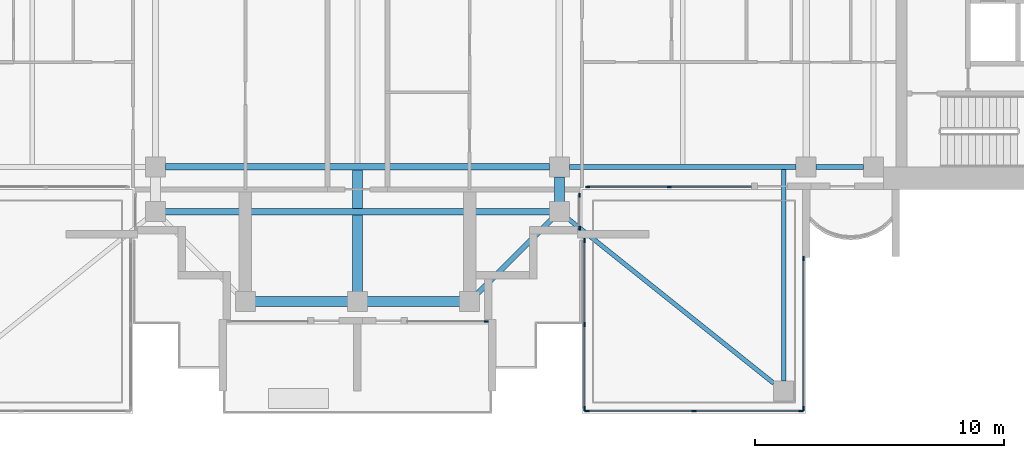
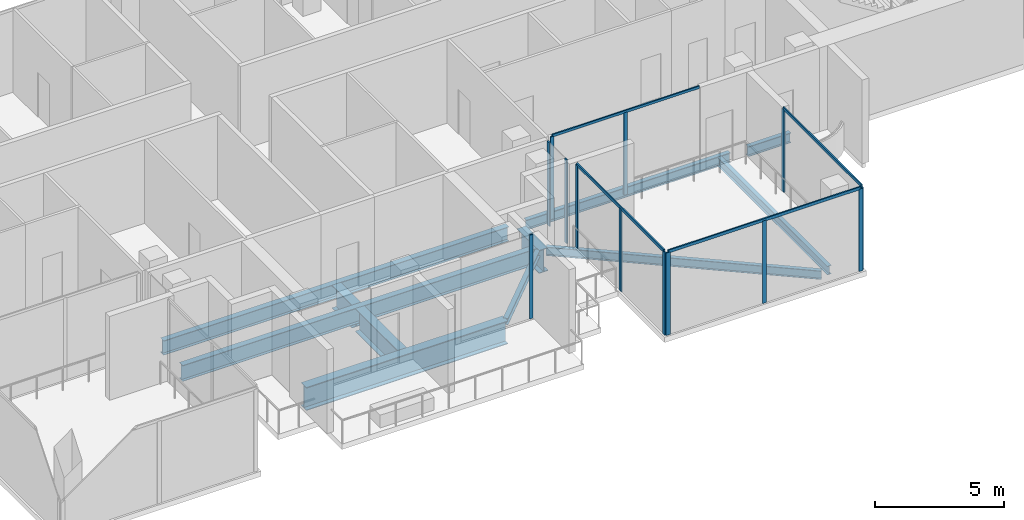
# One storey, part 3 of 16: 17 members, 11 beams, 6 elements without a shape of their own.
"""IFC4 building model written with IfcOpenShell, lengths in metres."""

from ifc_helpers import new_model, si_unit, direction, frame, origin, origin_2d, place, context, subcontext, project, spatial, rectangle, i_section, extrude, material, material_profile, profile_set, type_object, element, aggregate, save


model = new_model("IFC4")

# Units and contexts
model_context = context("Model", 3, precision=1e-05, world=origin(), true_north=direction((0.0, 1.0)))
body_context = subcontext(model_context, "Body", "Model", "MODEL_VIEW")
ifc_project = project(units=[si_unit("LENGTHUNIT", "METRE"), si_unit("AREAUNIT", "SQUARE_METRE"), si_unit("VOLUMEUNIT", "CUBIC_METRE"), si_unit("PLANEANGLEUNIT", "RADIAN"), si_unit("MASSUNIT", "GRAM", prefix="KILO")], contexts=[model_context])

# Site, building, storey
site_placement = place(None, origin())
site = spatial("IfcSite", under=ifc_project, at=site_placement, CompositionType="ELEMENT")
building_placement = place(site_placement, origin())
building = spatial("IfcBuilding", under=site, at=building_placement, Name="Perihelion Cross Residences", CompositionType="ELEMENT")
storey_placement = place(building_placement, frame((0.0, 0.0, 290.39990234375)))
storey = spatial("IfcBuildingStorey", under=building, at=storey_placement, Name="L74", CompositionType="ELEMENT", Elevation=290.39990234375)

# Curtain wall, member
ifc_material_1 = material(Name="Bronze anodised aluminium, tinted glazing", Category="aluminium")
curtain_wall_type_1 = type_object("IfcCurtainWallType", Name="CW1", PredefinedType="NOTDEFINED", material=ifc_material_1)
curtain_wall_1_placement = place(storey_placement, origin())
curtain_wall_1 = element("IfcCurtainWall", 1, at=curtain_wall_1_placement, inside=storey, type_object=curtain_wall_type_1, Name="Curtain wall CW1 L74 south tip south bay 2", PredefinedType="NOTDEFINED")
ifc_material_2 = material(Name="Bronze anodised aluminium", Category="aluminium")
ifc_material_profile_1 = material_profile(ifc_material_2, rectangle(XDim=0.06005859375, YDim=0.159912109375, at=origin_2d()), Name="CW1 mullion")
ifc_profile_set_1 = profile_set([ifc_material_profile_1], Name="Bronze anodised aluminium")
member_type_1 = type_object("IfcMemberType", Name="CW1 mullion", PredefinedType="MULLION", material=ifc_profile_set_1)
member_1_placement = place(storey_placement, frame((5.169921875, -14.300048828125, 0.0), z_axis=(0.0, 0.0, 1.0), x_axis=(0.0, 1.0, 0.0)))
member_1 = element("IfcMember", 2, at=member_1_placement, type_object=member_type_1, Name="CW1 mullion 2", PredefinedType="MULLION", context=body_context, shape_type="SweptSolid", body=[
    extrude(rectangle(XDim=0.06005859375, YDim=0.159912109375, at=origin_2d()), origin(), (0.0, 0.0, 1.0), 3.9501953125),
])
aggregate(curtain_wall_1, [member_1])

# Curtain wall, members
curtain_wall_2_placement = place(storey_placement, origin())
curtain_wall_2 = element("IfcCurtainWall", 3, at=curtain_wall_2_placement, inside=storey, type_object=curtain_wall_type_1, Name="Curtain wall CW1 L74 south side east bay 1", PredefinedType="NOTDEFINED")
member_2_placement = place(storey_placement, frame((8.89990234375, -10.570068359375, 0.0), z_axis=(0.0, 0.0, 1.0), x_axis=(-1.0, 0.0, 0.0)))
member_2 = element("IfcMember", 4, at=member_2_placement, type_object=member_type_1, Name="CW1 mullion 1", PredefinedType="MULLION", context=body_context, shape_type="SweptSolid", body=[
    extrude(rectangle(XDim=0.06005859375, YDim=0.159912109375, at=origin_2d()), origin(), (0.0, 0.0, 1.0), 3.9501953125),
])
member_3_placement = place(storey_placement, frame((8.89990234375, -9.22998046875, 0.0), z_axis=(0.0, 0.0, 1.0), x_axis=(-1.0, 0.0, 0.0)))
member_3 = element("IfcMember", 5, at=member_3_placement, type_object=member_type_1, Name="CW1 mullion 2", PredefinedType="MULLION", context=body_context, shape_type="SweptSolid", body=[
    extrude(rectangle(XDim=0.06005859375, YDim=0.159912109375, at=origin_2d()), origin(), (0.0, 0.0, 1.0), 3.9501953125),
])
aggregate(curtain_wall_2, [member_2, member_3])

curtain_wall_3_placement = place(storey_placement, origin())
curtain_wall_3 = element("IfcCurtainWall", 6, at=curtain_wall_3_placement, inside=storey, type_object=curtain_wall_type_1, Name="Curtain wall CW1 L74 east side south bay 1", PredefinedType="NOTDEFINED")
member_4_placement = place(storey_placement, frame((9.22998046875, -8.89990234375, 0.0), z_axis=(0.0, 0.0, 1.0), x_axis=(0.0, 1.0, 0.0)))
member_4 = element("IfcMember", 7, at=member_4_placement, type_object=member_type_1, Name="CW1 mullion 1", PredefinedType="MULLION", context=body_context, shape_type="SweptSolid", body=[
    extrude(rectangle(XDim=0.06005859375, YDim=0.159912109375, at=origin_2d()), origin(), (0.0, 0.0, 1.0), 3.89013671875),
])
member_5_placement = place(storey_placement, frame((12.5, -8.89990234375, 0.0), z_axis=(0.0, 0.0, 1.0), x_axis=(0.0, 1.0, 0.0)))
member_5 = element("IfcMember", 8, at=member_5_placement, type_object=member_type_1, Name="CW1 mullion 2", PredefinedType="MULLION", context=body_context, shape_type="SweptSolid", body=[
    extrude(rectangle(XDim=0.06005859375, YDim=0.159912109375, at=origin_2d()), origin(), (0.0, 0.0, 1.0), 3.89013671875),
])
ifc_material_3 = material(Name="Bronze anodised aluminium", Category="aluminium")
ifc_material_profile_2 = material_profile(ifc_material_3, rectangle(XDim=0.06005859375, YDim=0.1201171875, at=origin_2d()), Name="CW1 transom")
ifc_profile_set_2 = profile_set([ifc_material_profile_2], Name="Bronze anodised aluminium")
member_type_2 = type_object("IfcMemberType", Name="CW1 transom", PredefinedType="USERDEFINED", material=ifc_profile_set_2)
member_6_placement = place(storey_placement, frame((9.22998046875, -8.89990234375, 3.920166015625), z_axis=(1.0, 0.0, 0.0), x_axis=(0.0, 1.0, 0.0)))
member_6 = element("IfcMember", 9, at=member_6_placement, type_object=member_type_2, Name="CW1 head transom", ObjectType="TRANSOM", PredefinedType="USERDEFINED", context=body_context, shape_type="SweptSolid", body=[
    extrude(rectangle(XDim=0.06005859375, YDim=0.1201171875, at=origin_2d()), origin(), (0.0, 0.0, 1.0), 6.570068359375),
])
aggregate(curtain_wall_3, [member_4, member_5, member_6])

ifc_material_4 = material(Name="Bronze anodised aluminium, tinted glazing", Category="aluminium")
curtain_wall_type_2 = type_object("IfcCurtainWallType", Name="CW4", PredefinedType="NOTDEFINED", material=ifc_material_4)
curtain_wall_4_placement = place(storey_placement, origin())
curtain_wall_4 = element("IfcCurtainWall", 10, at=curtain_wall_4_placement, inside=storey, type_object=curtain_wall_type_2, Name="Curtain wall CW4 L74 pocket south-east 1 1", PredefinedType="NOTDEFINED")
ifc_material_5 = material(Name="Bronze anodised aluminium", Category="aluminium")
ifc_material_profile_3 = material_profile(ifc_material_5, rectangle(XDim=0.06005859375, YDim=0.179931640625, at=origin_2d()), Name="CW4 mullion")
ifc_profile_set_3 = profile_set([ifc_material_profile_3], Name="Bronze anodised aluminium")
member_type_3 = type_object("IfcMemberType", Name="CW4 mullion", PredefinedType="MULLION", material=ifc_profile_set_3)
member_7_placement = place(storey_placement, frame((17.89990234375, -11.77001953125, 0.0), z_axis=(0.0, 0.0, 1.0), x_axis=(1.0, 0.0, 0.0)))
member_7 = element("IfcMember", 11, at=member_7_placement, type_object=member_type_3, Name="CW4 mullion 1", PredefinedType="MULLION", context=body_context, shape_type="SweptSolid", body=[
    extrude(rectangle(XDim=0.06005859375, YDim=0.179931640625, at=origin_2d()), origin(), (0.0, 0.0, 1.0), 3.89013671875),
])
member_8_placement = place(storey_placement, frame((17.89990234375, -17.800048828125, 0.0), z_axis=(0.0, 0.0, 1.0), x_axis=(1.0, 0.0, 0.0)))
member_8 = element("IfcMember", 12, at=member_8_placement, type_object=member_type_3, Name="CW4 mullion 2", PredefinedType="MULLION", context=body_context, shape_type="SweptSolid", body=[
    extrude(rectangle(XDim=0.06005859375, YDim=0.179931640625, at=origin_2d()), origin(), (0.0, 0.0, 1.0), 3.89013671875),
])

curtain_wall_5_placement = place(storey_placement, origin())
curtain_wall_5 = element("IfcCurtainWall", 13, at=curtain_wall_5_placement, inside=storey, type_object=curtain_wall_type_2, Name="Curtain wall CW4 L74 pocket south-east 1 2", PredefinedType="NOTDEFINED")
member_9_placement = place(storey_placement, frame((17.800048828125, -17.89990234375, 0.0), z_axis=(0.0, 0.0, 1.0), x_axis=(0.0, -1.0, 0.0)))
member_9 = element("IfcMember", 14, at=member_9_placement, type_object=member_type_3, Name="CW4 mullion 1", PredefinedType="MULLION", context=body_context, shape_type="SweptSolid", body=[
    extrude(rectangle(XDim=0.06005859375, YDim=0.179931640625, at=origin_2d()), origin(), (0.0, 0.0, 1.0), 3.89013671875),
])
member_10_placement = place(storey_placement, frame((13.5, -17.89990234375, 0.0), z_axis=(0.0, 0.0, 1.0), x_axis=(0.0, -1.0, 0.0)))
member_10 = element("IfcMember", 15, at=member_10_placement, type_object=member_type_3, Name="CW4 mullion 2", PredefinedType="MULLION", context=body_context, shape_type="SweptSolid", body=[
    extrude(rectangle(XDim=0.06005859375, YDim=0.179931640625, at=origin_2d()), origin(), (0.0, 0.0, 1.0), 3.89013671875),
])
member_11_placement = place(storey_placement, frame((9.199951171875, -17.89990234375, 0.0), z_axis=(0.0, 0.0, 1.0), x_axis=(0.0, -1.0, 0.0)))
member_11 = element("IfcMember", 16, at=member_11_placement, type_object=member_type_3, Name="CW4 mullion 3", PredefinedType="MULLION", context=body_context, shape_type="SweptSolid", body=[
    extrude(rectangle(XDim=0.06005859375, YDim=0.179931640625, at=origin_2d()), origin(), (0.0, 0.0, 1.0), 3.89013671875),
])

curtain_wall_6_placement = place(storey_placement, origin())
curtain_wall_6 = element("IfcCurtainWall", 17, at=curtain_wall_6_placement, inside=storey, type_object=curtain_wall_type_2, Name="Curtain wall CW4 L74 pocket south-east 1 3", PredefinedType="NOTDEFINED")
member_12_placement = place(storey_placement, frame((9.10009765625, -17.800048828125, 0.0), z_axis=(0.0, 0.0, 1.0), x_axis=(-1.0, 0.0, 0.0)))
member_12 = element("IfcMember", 18, at=member_12_placement, type_object=member_type_3, Name="CW4 mullion 1", PredefinedType="MULLION", context=body_context, shape_type="SweptSolid", body=[
    extrude(rectangle(XDim=0.06005859375, YDim=0.179931640625, at=origin_2d()), origin(), (0.0, 0.0, 1.0), 3.89013671875),
])
member_13_placement = place(storey_placement, frame((9.10009765625, -14.429443359375, 0.0), z_axis=(0.0, 0.0, 1.0), x_axis=(-1.0, 0.0, 0.0)))
member_13 = element("IfcMember", 19, at=member_13_placement, type_object=member_type_3, Name="CW4 mullion 2", PredefinedType="MULLION", context=body_context, shape_type="SweptSolid", body=[
    extrude(rectangle(XDim=0.06005859375, YDim=0.179931640625, at=origin_2d()), origin(), (0.0, 0.0, 1.0), 3.89013671875),
])
member_14_placement = place(storey_placement, frame((9.10009765625, -11.058837890625, 0.0), z_axis=(0.0, 0.0, 1.0), x_axis=(-1.0, 0.0, 0.0)))
member_14 = element("IfcMember", 20, at=member_14_placement, type_object=member_type_3, Name="CW4 mullion 3", PredefinedType="MULLION", context=body_context, shape_type="SweptSolid", body=[
    extrude(rectangle(XDim=0.06005859375, YDim=0.179931640625, at=origin_2d()), origin(), (0.0, 0.0, 1.0), 3.89013671875),
])

# Member
ifc_material_6 = material(Name="Bronze anodised aluminium", Category="aluminium")
ifc_material_profile_4 = material_profile(ifc_material_6, rectangle(XDim=0.06005859375, YDim=0.139892578125, at=origin_2d()), Name="CW4 transom")
ifc_profile_set_4 = profile_set([ifc_material_profile_4], Name="Bronze anodised aluminium")
member_type_4 = type_object("IfcMemberType", Name="CW4 transom", PredefinedType="USERDEFINED", material=ifc_profile_set_4)
member_15_placement = place(storey_placement, frame((17.89990234375, -11.77001953125, 3.920166015625), z_axis=(0.0, -1.0, 0.0), x_axis=(1.0, 0.0, 0.0)))
member_15 = element("IfcMember", 21, at=member_15_placement, type_object=member_type_4, Name="CW4 head transom", ObjectType="TRANSOM", PredefinedType="USERDEFINED", context=body_context, shape_type="SweptSolid", body=[
    extrude(rectangle(XDim=0.06005859375, YDim=0.139892578125, at=origin_2d()), origin(), (0.0, 0.0, 1.0), 6.030029296875),
])

aggregate(curtain_wall_4, [member_7, member_8, member_15])

member_16_placement = place(storey_placement, frame((17.800048828125, -17.89990234375, 3.920166015625), z_axis=(-1.0, 0.0, 0.0), x_axis=(0.0, -1.0, 0.0)))
member_16 = element("IfcMember", 22, at=member_16_placement, type_object=member_type_4, Name="CW4 head transom", ObjectType="TRANSOM", PredefinedType="USERDEFINED", context=body_context, shape_type="SweptSolid", body=[
    extrude(rectangle(XDim=0.06005859375, YDim=0.139892578125, at=origin_2d()), origin(), (0.0, 0.0, 1.0), 8.60009765625),
])

aggregate(curtain_wall_5, [member_9, member_10, member_11, member_16])

member_17_placement = place(storey_placement, frame((9.10009765625, -17.800048828125, 3.920166015625), z_axis=(0.0, 1.0, 0.0), x_axis=(-1.0, 0.0, 0.0)))
member_17 = element("IfcMember", 23, at=member_17_placement, type_object=member_type_4, Name="CW4 head transom", ObjectType="TRANSOM", PredefinedType="USERDEFINED", context=body_context, shape_type="SweptSolid", body=[
    extrude(rectangle(XDim=0.06005859375, YDim=0.139892578125, at=origin_2d()), origin(), (0.0, 0.0, 1.0), 6.7412109375),
])

aggregate(curtain_wall_6, [member_12, member_13, member_14, member_17])

# Beams
ifc_material_7 = material(Name="Steel S355", Category="steel")
ifc_material_profile_5 = material_profile(ifc_material_7, i_section(OverallWidth=0.177978515625, OverallDepth=0.406005859375, WebThickness=0.0078125, FlangeThickness=0.0126953125, at=origin_2d()), Name="W410x60")
ifc_profile_set_5 = profile_set([ifc_material_profile_5], Name="Steel S355")
beam_type_1 = type_object("IfcBeamType", Name="Core edge beam W410x60", PredefinedType="BEAM", material=ifc_profile_set_5)
beam_1_placement = place(storey_placement, frame((17.10009765625, -8.197021484375, -0.452880859375), z_axis=(0.0, -1.0, 0.0), x_axis=(1.0, 0.0, 0.0)))
element("IfcBeam", 24, at=beam_1_placement, inside=storey, type_object=beam_type_1, Name="Core edge beam TB2 L74 corner no. 3", PredefinedType="BEAM", context=body_context, shape_type="SweptSolid", body=[
    extrude(i_section(OverallWidth=0.177978515625, OverallDepth=0.406005859375, WebThickness=0.0078125, FlangeThickness=0.0126953125, at=origin_2d()), origin(), (0.0, 0.0, 1.0), 8.5029296875),
])
beam_2_placement = place(storey_placement, frame((8.300537109375, -10.060302734375, -0.452880859375), z_axis=(0.780859952085, -0.624706119091, 0.0), x_axis=(0.624706119091, 0.780859952085, 0.0)))
element("IfcBeam", 25, at=beam_2_placement, inside=storey, type_object=beam_type_1, Name="Core edge beam TB2 L74 corner no. 4", PredefinedType="BEAM", context=body_context, shape_type="SweptSolid", body=[
    extrude(i_section(OverallWidth=0.177978515625, OverallDepth=0.406005859375, WebThickness=0.0078125, FlangeThickness=0.0126953125, at=origin_2d()), origin(), (0.0, 0.0, 1.0), 10.756591796875),
])
ifc_material_8 = material(Name="Steel S355", Category="steel")
ifc_material_profile_6 = material_profile(ifc_material_8, i_section(OverallWidth=0.194091796875, OverallDepth=0.469970703125, WebThickness=0.0126953125, FlangeThickness=0.0205078125, at=origin_2d()), Name="W460x106")
ifc_profile_set_6 = profile_set([ifc_material_profile_6], Name="Steel S355")
beam_type_2 = type_object("IfcBeamType", Name="Edge beam W460x106", PredefinedType="SPANDREL", material=ifc_profile_set_6)
beam_3_placement = place(storey_placement, frame((8.5, -8.10009765625, -0.48486328125), z_axis=(1.0, 0.0, 0.0), x_axis=(0.0, 1.0, 0.0)))
element("IfcBeam", 26, at=beam_3_placement, inside=storey, type_object=beam_type_2, Name="Edge beam SB5 L74 no. 8", PredefinedType="SPANDREL", context=body_context, shape_type="SweptSolid", body=[
    extrude(i_section(OverallWidth=0.194091796875, OverallDepth=0.469970703125, WebThickness=0.0126953125, FlangeThickness=0.0205078125, at=origin_2d()), origin(), (0.0, 0.0, 1.0), 9.10009765625),
])
beam_4_placement = place(storey_placement, frame((18.39990234375, -8.10009765625, -0.48486328125), z_axis=(1.0, 0.0, 0.0), x_axis=(0.0, 1.0, 0.0)))
element("IfcBeam", 27, at=beam_4_placement, inside=storey, type_object=beam_type_2, Name="Edge beam SB5 L74 no. 5", PredefinedType="SPANDREL", context=body_context, shape_type="SweptSolid", body=[
    extrude(i_section(OverallWidth=0.194091796875, OverallDepth=0.469970703125, WebThickness=0.0126953125, FlangeThickness=0.0205078125, at=origin_2d()), origin(), (0.0, 0.0, 1.0), 1.900146484375),
])
ifc_material_9 = material(Name="Steel S355", Category="steel")
ifc_material_profile_7 = material_profile(ifc_material_9, i_section(OverallWidth=0.26708984375, OverallDepth=0.75390625, WebThickness=0.01318359375, FlangeThickness=0.01708984375, at=origin_2d()), Name="W760x147")
ifc_profile_set_7 = profile_set([ifc_material_profile_7], Name="Steel S355")
beam_type_3 = type_object("IfcBeamType", Name="Floor girder W760x147", PredefinedType="BEAM", material=ifc_profile_set_7)
beam_5_placement = place(storey_placement, frame((-7.8994140625, -9.89990234375, -0.626953125), z_axis=(1.0, 0.0, 0.0), x_axis=(0.0, 1.0, 0.0)))
element("IfcBeam", 28, at=beam_5_placement, inside=storey, type_object=beam_type_3, Name="Girder G5 L74 no. 3", PredefinedType="BEAM", context=body_context, shape_type="SweptSolid", body=[
    extrude(i_section(OverallWidth=0.26708984375, OverallDepth=0.75390625, WebThickness=0.01318359375, FlangeThickness=0.01708984375, at=origin_2d()), origin(), (0.0, 0.0, 1.0), 15.798828125),
])
ifc_material_10 = material(Name="Steel S355", Category="steel")
ifc_material_profile_8 = material_profile(ifc_material_10, i_section(OverallWidth=0.25390625, OverallDepth=0.677978515625, WebThickness=0.01171875, FlangeThickness=0.016357421875, at=origin_2d()), Name="W690x125")
ifc_profile_set_8 = profile_set([ifc_material_profile_8], Name="Steel S355")
beam_type_4 = type_object("IfcBeamType", Name="Hub ring girder W690x125", PredefinedType="BEAM", material=ifc_profile_set_8)
beam_6_placement = place(storey_placement, frame((-7.699951171875, -8.10009765625, -0.5888671875), z_axis=(1.0, 0.0, 0.0), x_axis=(0.0, 1.0, 0.0)))
element("IfcBeam", 29, at=beam_6_placement, inside=storey, type_object=beam_type_4, Name="Hub ring girder RG5 L74 no. 1", PredefinedType="BEAM", context=body_context, shape_type="SweptSolid", body=[
    extrude(i_section(OverallWidth=0.25390625, OverallDepth=0.677978515625, WebThickness=0.01171875, FlangeThickness=0.016357421875, at=origin_2d()), origin(), (0.0, 0.0, 1.0), 15.39990234375),
])
ifc_material_11 = material(Name="Steel S355", Category="steel")
ifc_material_profile_9 = material_profile(ifc_material_11, i_section(OverallWidth=0.202880859375, OverallDepth=0.302001953125, WebThickness=0.007568359375, FlangeThickness=0.01318359375, at=origin_2d()), Name="W310x60")
ifc_profile_set_9 = profile_set([ifc_material_profile_9], Name="Steel S355")
beam_type_5 = type_object("IfcBeamType", Name="Serration edge beam W310x60", PredefinedType="BEAM", material=ifc_profile_set_9)
beam_7_placement = place(storey_placement, frame((4.5, -13.5, -0.40087890625), z_axis=(0.707106781187, 0.707106781187, 0.0), x_axis=(-0.707106781187, 0.707106781187, 0.0)))
element("IfcBeam", 30, at=beam_7_placement, inside=storey, type_object=beam_type_5, Name="Serration edge beam EB5 L74 no. 2", PredefinedType="BEAM", context=body_context, shape_type="SweptSolid", body=[
    extrude(i_section(OverallWidth=0.202880859375, OverallDepth=0.302001953125, WebThickness=0.007568359375, FlangeThickness=0.01318359375, at=origin_2d()), origin(), (0.0, 0.0, 1.0), 4.8076171875),
])
ifc_material_12 = material(Name="Steel S355", Category="steel")
ifc_material_profile_10 = material_profile(ifc_material_12, i_section(OverallWidth=0.40087890625, OverallDepth=1.090087890625, WebThickness=0.01806640625, FlangeThickness=0.031005859375, at=origin_2d()), Name="W1100x343")
ifc_profile_set_10 = profile_set([ifc_material_profile_10], Name="Steel S355")
beam_type_6 = type_object("IfcBeamType", Name="Transfer girder W1100x343", PredefinedType="BEAM", material=ifc_profile_set_10)
beam_8_placement = place(storey_placement, frame((0.0, -13.299560546875, -0.794921875), z_axis=(0.0, 1.0, 0.0), x_axis=(-1.0, 0.0, 0.0)))
element("IfcBeam", 31, at=beam_8_placement, inside=storey, type_object=beam_type_6, Name="Girder TG1 L74 transfer no. 2", PredefinedType="BEAM", context=body_context, shape_type="SweptSolid", body=[
    extrude(i_section(OverallWidth=0.40087890625, OverallDepth=1.090087890625, WebThickness=0.01806640625, FlangeThickness=0.031005859375, at=origin_2d()), origin(), (0.0, 0.0, 1.0), 3.26611328125),
])
beam_9_placement = place(storey_placement, frame((0.0, -9.7666015625, -0.794921875), z_axis=(0.0, 1.0, 0.0), x_axis=(-1.0, 0.0, 0.0)))
element("IfcBeam", 32, at=beam_9_placement, inside=storey, type_object=beam_type_6, Name="Girder TG1 L74 transfer no. 3", PredefinedType="BEAM", context=body_context, shape_type="SweptSolid", body=[
    extrude(i_section(OverallWidth=0.40087890625, OverallDepth=1.090087890625, WebThickness=0.01806640625, FlangeThickness=0.031005859375, at=origin_2d()), origin(), (0.0, 0.0, 1.0), 1.53955078125),
])
beam_10_placement = place(storey_placement, frame((-4.5, -13.5, -0.794921875), z_axis=(1.0, 0.0, 0.0), x_axis=(0.0, 1.0, 0.0)))
element("IfcBeam", 33, at=beam_10_placement, inside=storey, type_object=beam_type_6, Name="Girder TG1 L74 transfer no. 5", PredefinedType="BEAM", context=body_context, shape_type="SweptSolid", body=[
    extrude(i_section(OverallWidth=0.40087890625, OverallDepth=1.090087890625, WebThickness=0.01806640625, FlangeThickness=0.031005859375, at=origin_2d()), origin(), (0.0, 0.0, 1.0), 9.0),
])
beam_11_placement = place(storey_placement, frame((8.10009765625, -10.199951171875, -0.794921875), z_axis=(0.0, 1.0, 0.0), x_axis=(-1.0, 0.0, 0.0)))
element("IfcBeam", 34, at=beam_11_placement, inside=storey, type_object=beam_type_6, Name="Girder TG1 L74 transfer no. 4", PredefinedType="BEAM", context=body_context, shape_type="SweptSolid", body=[
    extrude(i_section(OverallWidth=0.40087890625, OverallDepth=1.090087890625, WebThickness=0.01806640625, FlangeThickness=0.031005859375, at=origin_2d()), origin(), (0.0, 0.0, 1.0), 1.699951171875),
])

save(model, "model.ifc")
